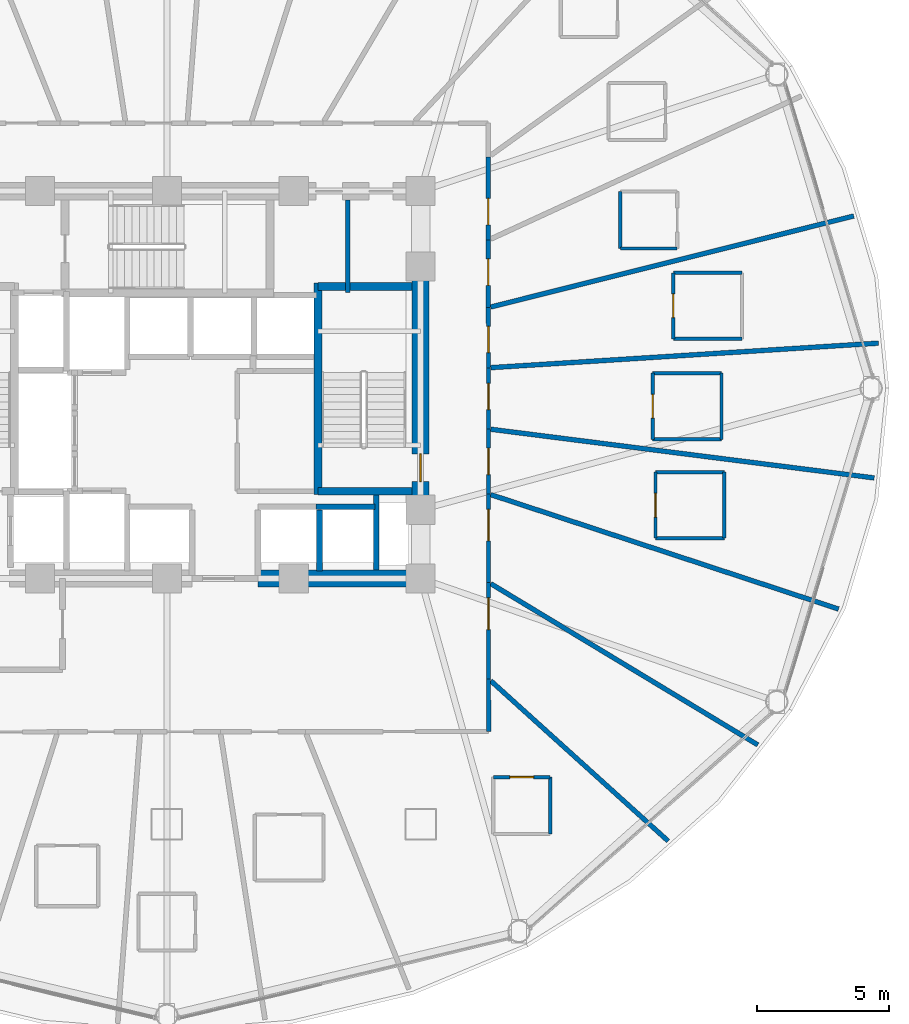
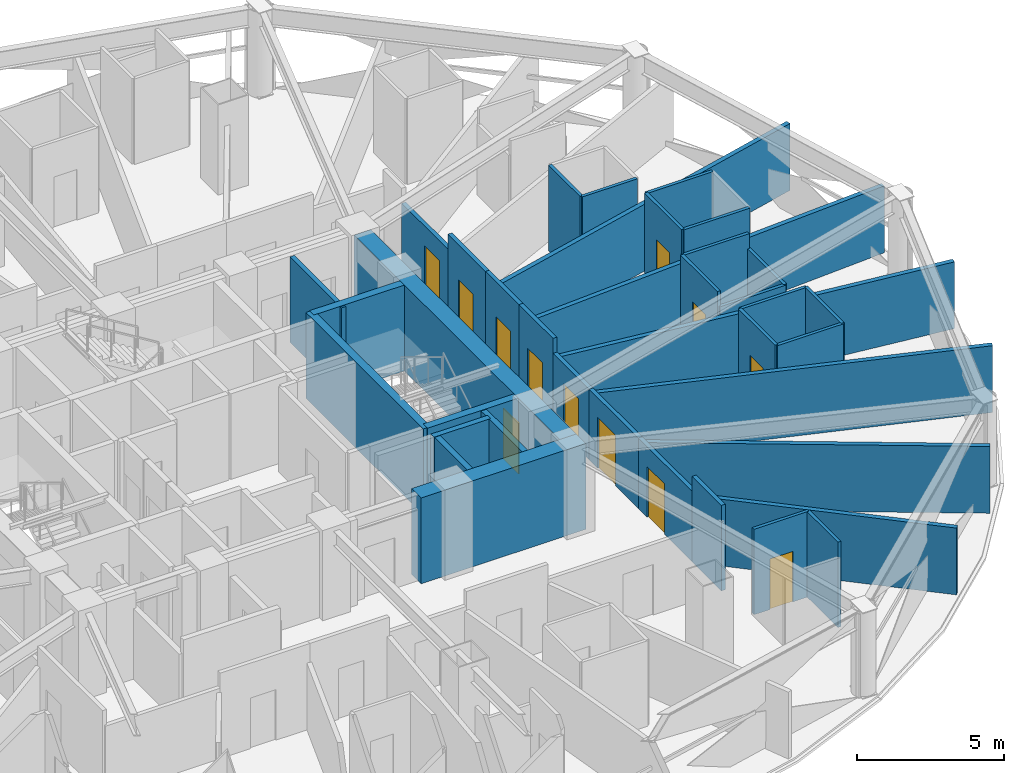
# One storey, part 26 of 32: 38 walls, 12 doors, 12 openings.
"""IFC4 building model written with IfcOpenShell, lengths in metres."""

from ifc_helpers import new_model, si_unit, direction, frame, frame_2d, origin, place, context, subcontext, project, spatial, rectangle, extrude, material, layer, layer_set, type_object, element, fill, save


model = new_model("IFC4")

# Units and contexts
model_context = context("Model", 3, precision=1e-05, world=origin(), true_north=direction((0.0, 1.0)))
body_context = subcontext(model_context, "Body", "Model", "MODEL_VIEW")
ifc_project = project(units=[si_unit("LENGTHUNIT", "METRE"), si_unit("AREAUNIT", "SQUARE_METRE"), si_unit("VOLUMEUNIT", "CUBIC_METRE"), si_unit("PLANEANGLEUNIT", "RADIAN"), si_unit("MASSUNIT", "GRAM", prefix="KILO")], contexts=[model_context])

# Site, building, storey
site_placement = place(None, origin())
site = spatial("IfcSite", under=ifc_project, at=site_placement, CompositionType="ELEMENT")
building_placement = place(site_placement, origin())
building = spatial("IfcBuilding", under=site, at=building_placement, Name="Vantalir Tower", CompositionType="ELEMENT")
storey_placement = place(building_placement, frame((0.0, 0.0, 45.75)))
storey = spatial("IfcBuildingStorey", under=building, at=storey_placement, Name="L10", CompositionType="ELEMENT", Elevation=45.75)

# Walls
ifc_material_1 = material(Name="Moisture-resistant en-suite partition", Category="gypsum")
ifc_layer_1 = layer(ifc_material_1, 0.125)
ifc_layer_set_1 = layer_set([ifc_layer_1], Name="Moisture-resistant en-suite partition")
wall_type_1 = type_object("IfcWallType", Name="WL-BATH-125", PredefinedType="PARTITIONING", material=ifc_layer_set_1)
for number, where, z_axis, x_axis, name in (
    (1, (50.656005859375, 26.863037109375, 0.0), (0.0, 0.0, 1.0), (1.0, 0.0, 0.0), "L10 En-suite 01 South Wall"),
    (2, (50.656005859375, 29.363037109375, 0.0), (0.0, 0.0, 1.0), (1.0, 0.0, 0.0), "L10 En-suite 01 North Wall"),
):
    element("IfcWall", number, at=place(storey_placement, frame(where, z_axis=z_axis, x_axis=x_axis)), inside=storey, type_object=wall_type_1, Name=name, PredefinedType="PARTITIONING", context=body_context, shape_type="SweptSolid", body=[
        extrude(rectangle(XDim=2.60009765625, YDim=0.125, at=frame_2d((1.300048828125, 0.0))), origin(), (0.0, 0.0, 1.0), 3.550048828125),
    ])

# Wall, opening, door
wall_1_placement = place(storey_placement, frame((50.656005859375, 26.863037109375, 0.0), z_axis=(0.0, 0.0, 1.0), x_axis=(0.0, 1.0, 0.0)))
wall_1 = element("IfcWall", 3, at=wall_1_placement, inside=storey, type_object=wall_type_1, Name="L10 En-suite 01 West Wall", PredefinedType="PARTITIONING", context=body_context, shape_type="SweptSolid", body=[
    extrude(rectangle(XDim=2.5, YDim=0.125, at=frame_2d((1.25, 0.0))), origin(), (0.0, 0.0, 1.0), 3.550048828125),
])
opening_1_placement = place(wall_1_placement, frame((0.800048828125, 0.0, 0.0)))
opening_1 = element("IfcOpeningElement", 4, at=opening_1_placement, cuts=wall_1, Name="Opening D-WC", PredefinedType="OPENING", context=body_context, shape_type="SweptSolid", body=[
    extrude(rectangle(XDim=0.89990234375, YDim=2.10009765625, at=frame_2d((0.449951171875, 1.050048828125))), frame((0.0, 0.072509765625, 0.0), z_axis=(0.0, -1.0, 0.0), x_axis=(1.0, 0.0, 0.0)), (0.0, 0.0, 1.0), 0.14501953125),
])
ifc_material_2 = material(Name="Moisture-resistant hardwood door", Category="wood")
door_type_1 = type_object("IfcDoorType", Name="DR-ENSUITE-900", OperationType="NOTDEFINED", PredefinedType="DOOR", material=ifc_material_2)
door_1_placement = place(opening_1_placement, frame((0.89990234375, 0.0, 0.0), z_axis=(0.0, 0.0, 1.0), x_axis=(-1.0, 0.0, 0.0)))
door_1 = element("IfcDoor", 5, at=door_1_placement, inside=storey, type_object=door_type_1, Name="L10 En-suite 01 Door", OperationType="SINGLE_SWING_RIGHT", OverallHeight=2.10009765625, OverallWidth=0.89990234375, PredefinedType="DOOR", context=body_context, shape_type="SweptSolid", body=[
    extrude(rectangle(XDim=0.89990234375, YDim=2.10009765625, at=frame_2d((0.449951171875, 1.050048828125))), frame((0.0, 0.02490234375, 0.0), z_axis=(0.0, -1.0, 0.0), x_axis=(1.0, 0.0, 0.0)), (0.0, 0.0, 1.0), 0.050048828125),
])
fill(opening_1, door_1)

# Walls
wall_2_placement = place(storey_placement, frame((48.655029296875, 30.283935546875, 0.0), z_axis=(0.0, 0.0, 1.0), x_axis=(1.0, 0.0, 0.0)))
element("IfcWall", 6, at=wall_2_placement, inside=storey, type_object=wall_type_1, Name="L10 En-suite 02 South Wall", PredefinedType="PARTITIONING", context=body_context, shape_type="SweptSolid", body=[
    extrude(rectangle(XDim=2.14990234375, YDim=0.125, at=frame_2d((1.074951171875, 0.0))), origin(), (0.0, 0.0, 1.0), 3.550048828125),
])
wall_3_placement = place(storey_placement, frame((48.655029296875, 30.283935546875, 0.0), z_axis=(0.0, 0.0, 1.0), x_axis=(0.0, 1.0, 0.0)))
element("IfcWall", 7, at=wall_3_placement, inside=storey, type_object=wall_type_1, Name="L10 En-suite 02 West Wall", PredefinedType="PARTITIONING", context=body_context, shape_type="SweptSolid", body=[
    extrude(rectangle(XDim=2.150146484375, YDim=0.125, at=frame_2d((1.0751953125, 0.0))), origin(), (0.0, 0.0, 1.0), 3.550048828125),
])

# Wall, opening, door
wall_4_placement = place(storey_placement, frame((43.846923828125, 10.285888671875, 0.0), z_axis=(0.0, 0.0, 1.0), x_axis=(1.0, 0.0, 0.0)))
wall_4 = element("IfcWall", 8, at=wall_4_placement, inside=storey, type_object=wall_type_1, Name="L10 En-suite 24 North Wall", PredefinedType="PARTITIONING", context=body_context, shape_type="SweptSolid", body=[
    extrude(rectangle(XDim=2.150146484375, YDim=0.125, at=frame_2d((1.0751953125, 0.0))), origin(), (0.0, 0.0, 1.0), 3.550048828125),
])
opening_2_placement = place(wall_4_placement, frame((0.625, 0.0, 0.0)))
opening_2 = element("IfcOpeningElement", 9, at=opening_2_placement, cuts=wall_4, Name="Opening D-WC", PredefinedType="OPENING", context=body_context, shape_type="SweptSolid", body=[
    extrude(rectangle(XDim=0.89990234375, YDim=2.10009765625, at=frame_2d((0.449951171875, 1.050048828125))), frame((0.0, 0.072509765625, 0.0), z_axis=(0.0, -1.0, 0.0), x_axis=(1.0, 0.0, 0.0)), (0.0, 0.0, 1.0), 0.14501953125),
])
door_2_placement = place(opening_2_placement, frame((0.89990234375, 0.0, 0.0), z_axis=(0.0, 0.0, 1.0), x_axis=(-1.0, 0.0, 0.0)))
door_2 = element("IfcDoor", 10, at=door_2_placement, inside=storey, type_object=door_type_1, Name="L10 En-suite 24 Door", OperationType="SINGLE_SWING_LEFT", OverallHeight=2.10009765625, OverallWidth=0.89990234375, PredefinedType="DOOR", context=body_context, shape_type="SweptSolid", body=[
    extrude(rectangle(XDim=0.89990234375, YDim=2.10009765625, at=frame_2d((0.449951171875, 1.050048828125))), frame((0.0, 0.02490234375, 0.0), z_axis=(0.0, -1.0, 0.0), x_axis=(1.0, 0.0, 0.0)), (0.0, 0.0, 1.0), 0.050048828125),
])
fill(opening_2, door_2)

# Walls
wall_5_placement = place(storey_placement, frame((45.9970703125, 8.135986328125, 0.0), z_axis=(0.0, 0.0, 1.0), x_axis=(0.0, 1.0, 0.0)))
element("IfcWall", 11, at=wall_5_placement, inside=storey, type_object=wall_type_1, Name="L10 En-suite 24 East Wall", PredefinedType="PARTITIONING", context=body_context, shape_type="SweptSolid", body=[
    extrude(rectangle(XDim=2.14990234375, YDim=0.125, at=frame_2d((1.074951171875, 0.0))), origin(), (0.0, 0.0, 1.0), 3.550048828125),
])
for number, where, z_axis, x_axis, name in (
    (12, (49.985107421875, 19.322998046875, 0.0), (0.0, 0.0, 1.0), (1.0, 0.0, 0.0), "L10 En-suite 27 South Wall"),
    (13, (49.985107421875, 21.822998046875, 0.0), (0.0, 0.0, 1.0), (1.0, 0.0, 0.0), "L10 En-suite 27 North Wall"),
):
    element("IfcWall", number, at=place(storey_placement, frame(where, z_axis=z_axis, x_axis=x_axis)), inside=storey, type_object=wall_type_1, Name=name, PredefinedType="PARTITIONING", context=body_context, shape_type="SweptSolid", body=[
        extrude(rectangle(XDim=2.599853515625, YDim=0.125, at=frame_2d((1.2998046875, 0.0))), origin(), (0.0, 0.0, 1.0), 3.550048828125),
    ])

# Wall, opening, door
wall_6_placement = place(storey_placement, frame((49.985107421875, 19.322998046875, 0.0), z_axis=(0.0, 0.0, 1.0), x_axis=(0.0, 1.0, 0.0)))
wall_6 = element("IfcWall", 14, at=wall_6_placement, inside=storey, type_object=wall_type_1, Name="L10 En-suite 27 West Wall", PredefinedType="PARTITIONING", context=body_context, shape_type="SweptSolid", body=[
    extrude(rectangle(XDim=2.5, YDim=0.125, at=frame_2d((1.25, 0.0))), origin(), (0.0, 0.0, 1.0), 3.550048828125),
])
opening_3_placement = place(wall_6_placement, frame((0.800048828125, 0.0, 0.0)))
opening_3 = element("IfcOpeningElement", 15, at=opening_3_placement, cuts=wall_6, Name="Opening D-WC", PredefinedType="OPENING", context=body_context, shape_type="SweptSolid", body=[
    extrude(rectangle(XDim=0.89990234375, YDim=2.10009765625, at=frame_2d((0.449951171875, 1.050048828125))), frame((0.0, 0.072509765625, 0.0), z_axis=(0.0, -1.0, 0.0), x_axis=(1.0, 0.0, 0.0)), (0.0, 0.0, 1.0), 0.14501953125),
])
door_3_placement = place(opening_3_placement, frame((0.89990234375, 0.0, 0.0), z_axis=(0.0, 0.0, 1.0), x_axis=(-1.0, 0.0, 0.0)))
door_3 = element("IfcDoor", 16, at=door_3_placement, inside=storey, type_object=door_type_1, Name="L10 En-suite 27 Door", OperationType="SINGLE_SWING_RIGHT", OverallHeight=2.10009765625, OverallWidth=0.89990234375, PredefinedType="DOOR", context=body_context, shape_type="SweptSolid", body=[
    extrude(rectangle(XDim=0.89990234375, YDim=2.10009765625, at=frame_2d((0.449951171875, 1.050048828125))), frame((0.0, 0.02490234375, 0.0), z_axis=(0.0, -1.0, 0.0), x_axis=(1.0, 0.0, 0.0)), (0.0, 0.0, 1.0), 0.050048828125),
])
fill(opening_3, door_3)

# Walls
wall_7_placement = place(storey_placement, frame((52.5849609375, 19.322998046875, 0.0), z_axis=(0.0, 0.0, 1.0), x_axis=(0.0, 1.0, 0.0)))
element("IfcWall", 17, at=wall_7_placement, inside=storey, type_object=wall_type_1, Name="L10 En-suite 27 East Wall", PredefinedType="PARTITIONING", context=body_context, shape_type="SweptSolid", body=[
    extrude(rectangle(XDim=2.5, YDim=0.125, at=frame_2d((1.25, 0.0))), origin(), (0.0, 0.0, 1.0), 3.550048828125),
])
wall_8_placement = place(storey_placement, frame((49.8779296875, 23.06298828125, 0.0), z_axis=(0.0, 0.0, 1.0), x_axis=(1.0, 0.0, 0.0)))
element("IfcWall", 18, at=wall_8_placement, inside=storey, type_object=wall_type_1, Name="L10 En-suite 28 South Wall", PredefinedType="PARTITIONING", context=body_context, shape_type="SweptSolid", body=[
    extrude(rectangle(XDim=2.60009765625, YDim=0.125, at=frame_2d((1.300048828125, 0.0))), origin(), (0.0, 0.0, 1.0), 2.927978515625),
])
wall_9_placement = place(storey_placement, frame((49.8779296875, 25.56298828125, 0.0), z_axis=(0.0, 0.0, 1.0), x_axis=(1.0, 0.0, 0.0)))
element("IfcWall", 19, at=wall_9_placement, inside=storey, type_object=wall_type_1, Name="L10 En-suite 28 North Wall", PredefinedType="PARTITIONING", context=body_context, shape_type="SweptSolid", body=[
    extrude(rectangle(XDim=2.60009765625, YDim=0.125, at=frame_2d((1.300048828125, 0.0))), origin(), (0.0, 0.0, 1.0), 3.550048828125),
])

# Wall, opening, door
wall_10_placement = place(storey_placement, frame((49.8779296875, 23.06298828125, 0.0), z_axis=(0.0, 0.0, 1.0), x_axis=(0.0, 1.0, 0.0)))
wall_10 = element("IfcWall", 20, at=wall_10_placement, inside=storey, type_object=wall_type_1, Name="L10 En-suite 28 West Wall", PredefinedType="PARTITIONING", context=body_context, shape_type="SweptSolid", body=[
    extrude(rectangle(XDim=2.5, YDim=0.125, at=frame_2d((1.25, 0.0))), origin(), (0.0, 0.0, 1.0), 3.550048828125),
])
opening_4_placement = place(wall_10_placement, frame((0.800048828125, 0.0, 0.0)))
opening_4 = element("IfcOpeningElement", 21, at=opening_4_placement, cuts=wall_10, Name="Opening D-WC", PredefinedType="OPENING", context=body_context, shape_type="SweptSolid", body=[
    extrude(rectangle(XDim=0.89990234375, YDim=2.10009765625, at=frame_2d((0.449951171875, 1.050048828125))), frame((0.0, 0.072509765625, 0.0), z_axis=(0.0, -1.0, 0.0), x_axis=(1.0, 0.0, 0.0)), (0.0, 0.0, 1.0), 0.14501953125),
])
door_4_placement = place(opening_4_placement, frame((0.89990234375, 0.0, 0.0), z_axis=(0.0, 0.0, 1.0), x_axis=(-1.0, 0.0, 0.0)))
door_4 = element("IfcDoor", 22, at=door_4_placement, inside=storey, type_object=door_type_1, Name="L10 En-suite 28 Door", OperationType="SINGLE_SWING_LEFT", OverallHeight=2.10009765625, OverallWidth=0.89990234375, PredefinedType="DOOR", context=body_context, shape_type="SweptSolid", body=[
    extrude(rectangle(XDim=0.89990234375, YDim=2.10009765625, at=frame_2d((0.449951171875, 1.050048828125))), frame((0.0, 0.02490234375, 0.0), z_axis=(0.0, -1.0, 0.0), x_axis=(1.0, 0.0, 0.0)), (0.0, 0.0, 1.0), 0.050048828125),
])
fill(opening_4, door_4)

# Walls
wall_11_placement = place(storey_placement, frame((52.47802734375, 23.06298828125, 0.0), z_axis=(0.0, 0.0, 1.0), x_axis=(0.0, 1.0, 0.0)))
element("IfcWall", 23, at=wall_11_placement, inside=storey, type_object=wall_type_1, Name="L10 En-suite 28 East Wall", PredefinedType="PARTITIONING", context=body_context, shape_type="SweptSolid", body=[
    extrude(rectangle(XDim=2.5, YDim=0.125, at=frame_2d((1.25, 0.0))), origin(), (0.0, 0.0, 1.0), 2.927978515625),
])
ifc_material_3 = material(Name="Concrete C60/75", Category="concrete")
ifc_layer_2 = layer(ifc_material_3, 0.64990234375)
ifc_layer_set_2 = layer_set([ifc_layer_2], Name="Concrete C60/75")
wall_type_2 = type_object("IfcWallType", Name="WL-CORE-650", PredefinedType="SHEAR", material=ifc_layer_set_2)
wall_12_placement = place(storey_placement, frame((34.949951171875, 17.800048828125, 0.0), z_axis=(0.0, 0.0, 1.0), x_axis=(1.0, 0.0, 0.0)))
element("IfcWall", 24, at=wall_12_placement, inside=storey, type_object=wall_type_2, Name="L10 Core Shear Wall South-East", PredefinedType="SHEAR", context=body_context, shape_type="SweptSolid", body=[
    extrude(rectangle(XDim=6.47509765625, YDim=0.64990234375, at=frame_2d((3.237548828125, 0.0))), origin(), (0.0, 0.0, 1.0), 3.570068359375),
])

# Wall, opening, door
wall_13_placement = place(storey_placement, frame((41.10009765625, 18.125, 0.0), z_axis=(0.0, 0.0, 1.0), x_axis=(0.0, 1.0, 0.0)))
wall_13 = element("IfcWall", 25, at=wall_13_placement, inside=storey, type_object=wall_type_2, Name="L10 Core Shear Wall East", PredefinedType="SHEAR", context=body_context, shape_type="SweptSolid", body=[
    extrude(rectangle(XDim=14.0, YDim=0.64990234375, at=frame_2d((7.0, 0.0))), origin(), (0.0, 0.0, 1.0), 3.570068359375),
])
opening_5_placement = place(wall_13_placement, frame((3.3349609375, 0.0, 0.0)))
opening_5 = element("IfcOpeningElement", 26, at=opening_5_placement, cuts=wall_13, Name="Opening D-ST", PredefinedType="OPENING", context=body_context, shape_type="SweptSolid", body=[
    extrude(rectangle(XDim=1.050048828125, YDim=2.10009765625, at=frame_2d((0.52490234375, 1.050048828125))), frame((0.0, 0.3349609375, 0.0), z_axis=(0.0, -1.0, 0.0), x_axis=(1.0, 0.0, 0.0)), (0.0, 0.0, 1.0), 0.669921875),
])
ifc_material_4 = material(Name="Fire-rated steel door leaf", Category="steel")
door_type_2 = type_object("IfcDoorType", Name="DR-FIRE-STAIR-1050", OperationType="NOTDEFINED", PredefinedType="DOOR", material=ifc_material_4)
door_5_placement = place(opening_5_placement, origin())
door_5 = element("IfcDoor", 27, at=door_5_placement, inside=storey, type_object=door_type_2, Name="L10 Exit Stair ST2 Fire Door", OperationType="SINGLE_SWING_LEFT", OverallHeight=2.10009765625, OverallWidth=1.050048828125, PredefinedType="DOOR", context=body_context, shape_type="SweptSolid", body=[
    extrude(rectangle(XDim=1.050048828125, YDim=2.10009765625, at=frame_2d((0.52490234375, 1.050048828125))), frame((0.0, 0.02490234375, 0.0), z_axis=(0.0, -1.0, 0.0), x_axis=(1.0, 0.0, 0.0)), (0.0, 0.0, 1.0), 0.050048828125),
])
fill(opening_5, door_5)

ifc_material_5 = material(Name="Fire-rated hotel corridor acoustic partition", Category="gypsum")
ifc_layer_3 = layer(ifc_material_5, 0.159912109375)
ifc_layer_set_3 = layer_set([ifc_layer_3], Name="Fire-rated hotel corridor acoustic partition")
wall_type_3 = type_object("IfcWallType", Name="WL-CORR-160", PredefinedType="PARTITIONING", material=ifc_layer_set_3)
wall_14_placement = place(storey_placement, frame((43.656982421875, 33.737060546875, 0.0), z_axis=(0.0, 0.0, 1.0), x_axis=(0.000933270709, -0.999999564503, 0.0)))
wall_14 = element("IfcWall", 28, at=wall_14_placement, inside=storey, type_object=wall_type_3, Name="L10 Corridor Partition 16", PredefinedType="PARTITIONING", context=body_context, shape_type="SweptSolid", body=[
    extrude(rectangle(XDim=3.13916015625, YDim=0.159912109375, at=frame_2d((1.569580078125, 0.0))), origin(), (0.0, 0.0, 1.0), 2.927978515625),
])
opening_6_placement = place(wall_14_placement, frame((1.55908203125, 0.0, 0.0)))
opening_6 = element("IfcOpeningElement", 29, at=opening_6_placement, cuts=wall_14, Name="Opening D-GUEST", PredefinedType="OPENING", context=body_context, shape_type="SweptSolid", body=[
    extrude(rectangle(XDim=1.0, YDim=2.10009765625, at=frame_2d((0.5, 1.050048828125))), frame((0.0, 0.08984375, 0.0), z_axis=(0.0, -1.0, 0.0), x_axis=(1.0, 0.0, 0.0)), (0.0, 0.0, 1.0), 0.179931640625),
])
ifc_material_6 = material(Name="Solid-core teak veneer acoustic fire door", Category="wood")
door_type_3 = type_object("IfcDoorType", Name="DR-GUEST-ENTRY-1000", OperationType="NOTDEFINED", PredefinedType="DOOR", material=ifc_material_6)
door_6_placement = place(opening_6_placement, origin())
door_6 = element("IfcDoor", 30, at=door_6_placement, inside=storey, type_object=door_type_3, Name="L10 Deluxe King Hotel Room 03 Door", OperationType="SINGLE_SWING_RIGHT", OverallHeight=2.10009765625, OverallWidth=1.0, PredefinedType="DOOR", context=body_context, shape_type="SweptSolid", body=[
    extrude(rectangle(XDim=1.0, YDim=2.10009765625, at=frame_2d((0.5, 1.050048828125))), frame((0.0, 0.02490234375, 0.0), z_axis=(0.0, -1.0, 0.0), x_axis=(1.0, 0.0, 0.0)), (0.0, 0.0, 1.0), 0.050048828125),
])
fill(opening_6, door_6)

wall_15_placement = place(storey_placement, frame((43.659912109375, 30.597900390625, 0.0), z_axis=(0.0, 0.0, 1.0), x_axis=(0.000382848364, -0.999999926714, 0.0)))
wall_15 = element("IfcWall", 31, at=wall_15_placement, inside=storey, type_object=wall_type_3, Name="L10 Corridor Partition 17", PredefinedType="PARTITIONING", context=body_context, shape_type="SweptSolid", body=[
    extrude(rectangle(XDim=2.55078125, YDim=0.159912109375, at=frame_2d((1.275390625, 0.0))), origin(), (0.0, 0.0, 1.0), 3.550048828125),
])
opening_7_placement = place(wall_15_placement, frame((0.70703125, 0.0, 0.0)))
opening_7 = element("IfcOpeningElement", 32, at=opening_7_placement, cuts=wall_15, Name="Opening D-GUEST", PredefinedType="OPENING", context=body_context, shape_type="SweptSolid", body=[
    extrude(rectangle(XDim=1.0, YDim=2.10009765625, at=frame_2d((0.5, 1.050048828125))), frame((0.0, 0.08984375, 0.0), z_axis=(0.0, -1.0, 0.0), x_axis=(1.0, 0.0, 0.0)), (0.0, 0.0, 1.0), 0.179931640625),
])
door_7_placement = place(opening_7_placement, origin())
door_7 = element("IfcDoor", 33, at=door_7_placement, inside=storey, type_object=door_type_3, Name="L10 Deluxe King Hotel Room 02 Door", OperationType="SINGLE_SWING_LEFT", OverallHeight=2.10009765625, OverallWidth=1.0, PredefinedType="DOOR", context=body_context, shape_type="SweptSolid", body=[
    extrude(rectangle(XDim=1.0, YDim=2.10009765625, at=frame_2d((0.5, 1.050048828125))), frame((0.0, 0.02490234375, 0.0), z_axis=(0.0, -1.0, 0.0), x_axis=(1.0, 0.0, 0.0)), (0.0, 0.0, 1.0), 0.050048828125),
])
fill(opening_7, door_7)

wall_16_placement = place(storey_placement, frame((43.660888671875, 28.047119140625, 0.0), z_axis=(0.0, 0.0, 1.0), x_axis=(0.000964526397, -0.999999534844, 0.0)))
wall_16 = element("IfcWall", 34, at=wall_16_placement, inside=storey, type_object=wall_type_3, Name="L10 Corridor Partition 18", PredefinedType="PARTITIONING", context=body_context, shape_type="SweptSolid", body=[
    extrude(rectangle(XDim=2.278076171875, YDim=0.159912109375, at=frame_2d((1.13916015625, 0.0))), origin(), (0.0, 0.0, 1.0), 3.550048828125),
])
opening_8_placement = place(wall_16_placement, frame((0.70703125, 0.0, 0.0)))
opening_8 = element("IfcOpeningElement", 35, at=opening_8_placement, cuts=wall_16, Name="Opening D-GUEST", PredefinedType="OPENING", context=body_context, shape_type="SweptSolid", body=[
    extrude(rectangle(XDim=1.0, YDim=2.10009765625, at=frame_2d((0.5, 1.050048828125))), frame((0.0, 0.08984375, 0.0), z_axis=(0.0, -1.0, 0.0), x_axis=(1.0, 0.0, 0.0)), (0.0, 0.0, 1.0), 0.179931640625),
])
door_8_placement = place(opening_8_placement, origin())
door_8 = element("IfcDoor", 36, at=door_8_placement, inside=storey, type_object=door_type_3, Name="L10 Twin Queen Hotel Room 01 Door", OperationType="SINGLE_SWING_RIGHT", OverallHeight=2.10009765625, OverallWidth=1.0, PredefinedType="DOOR", context=body_context, shape_type="SweptSolid", body=[
    extrude(rectangle(XDim=1.0, YDim=2.10009765625, at=frame_2d((0.5, 1.050048828125))), frame((0.0, 0.02490234375, 0.0), z_axis=(0.0, -1.0, 0.0), x_axis=(1.0, 0.0, 0.0)), (0.0, 0.0, 1.0), 0.050048828125),
])
fill(opening_8, door_8)

wall_17_placement = place(storey_placement, frame((43.6630859375, 25.76904296875, 0.0), z_axis=(0.0, 0.0, 1.0), x_axis=(0.000844059628, -0.999999643782, 0.0)))
wall_17 = element("IfcWall", 37, at=wall_17_placement, inside=storey, type_object=wall_type_3, Name="L10 Corridor Partition 19", PredefinedType="PARTITIONING", context=body_context, shape_type="SweptSolid", body=[
    extrude(rectangle(XDim=2.31396484375, YDim=0.159912109375, at=frame_2d((1.156982421875, 0.0))), origin(), (0.0, 0.0, 1.0), 3.550048828125),
])
opening_9_placement = place(wall_17_placement, frame((0.5859375, 0.0, 0.0)))
opening_9 = element("IfcOpeningElement", 38, at=opening_9_placement, cuts=wall_17, Name="Opening D-GUEST", PredefinedType="OPENING", context=body_context, shape_type="SweptSolid", body=[
    extrude(rectangle(XDim=1.0, YDim=2.10009765625, at=frame_2d((0.5, 1.050048828125))), frame((0.0, 0.08984375, 0.0), z_axis=(0.0, -1.0, 0.0), x_axis=(1.0, 0.0, 0.0)), (0.0, 0.0, 1.0), 0.179931640625),
])
door_9_placement = place(opening_9_placement, origin())
door_9 = element("IfcDoor", 39, at=door_9_placement, inside=storey, type_object=door_type_3, Name="L10 Deluxe King Hotel Room 28 Door", OperationType="SINGLE_SWING_LEFT", OverallHeight=2.10009765625, OverallWidth=1.0, PredefinedType="DOOR", context=body_context, shape_type="SweptSolid", body=[
    extrude(rectangle(XDim=1.0, YDim=2.10009765625, at=frame_2d((0.5, 1.050048828125))), frame((0.0, 0.02490234375, 0.0), z_axis=(0.0, -1.0, 0.0), x_axis=(1.0, 0.0, 0.0)), (0.0, 0.0, 1.0), 0.050048828125),
])
fill(opening_9, door_9)

wall_18_placement = place(storey_placement, frame((43.6650390625, 23.455078125, 0.0), z_axis=(0.0, 0.0, 1.0), x_axis=(0.000397614283, -0.999999920951, 0.0)))
wall_18 = element("IfcWall", 40, at=wall_18_placement, inside=storey, type_object=wall_type_3, Name="L10 Corridor Partition 20", PredefinedType="PARTITIONING", context=body_context, shape_type="SweptSolid", body=[
    extrude(rectangle(XDim=2.4560546875, YDim=0.159912109375, at=frame_2d((1.22802734375, 0.0))), origin(), (0.0, 0.0, 1.0), 2.927978515625),
])
opening_10_placement = place(wall_18_placement, frame((0.72802734375, 0.0, 0.0)))
opening_10 = element("IfcOpeningElement", 41, at=opening_10_placement, cuts=wall_18, Name="Opening D-GUEST", PredefinedType="OPENING", context=body_context, shape_type="SweptSolid", body=[
    extrude(rectangle(XDim=1.0, YDim=2.10009765625, at=frame_2d((0.5, 1.050048828125))), frame((0.0, 0.08984375, 0.0), z_axis=(0.0, -1.0, 0.0), x_axis=(1.0, 0.0, 0.0)), (0.0, 0.0, 1.0), 0.179931640625),
])
door_10_placement = place(opening_10_placement, origin())
door_10 = element("IfcDoor", 42, at=door_10_placement, inside=storey, type_object=door_type_3, Name="L10 Twin Queen Hotel Room 27 Door", OperationType="SINGLE_SWING_RIGHT", OverallHeight=2.10009765625, OverallWidth=1.0, PredefinedType="DOOR", context=body_context, shape_type="SweptSolid", body=[
    extrude(rectangle(XDim=1.0, YDim=2.10009765625, at=frame_2d((0.5, 1.050048828125))), frame((0.0, 0.02490234375, 0.0), z_axis=(0.0, -1.0, 0.0), x_axis=(1.0, 0.0, 0.0)), (0.0, 0.0, 1.0), 0.050048828125),
])
fill(opening_10, door_10)

wall_19_placement = place(storey_placement, frame((43.666015625, 20.9990234375, 0.0), z_axis=(0.0, 0.0, 1.0), x_axis=(0.000875592514, -0.999999616669, 0.0)))
wall_19 = element("IfcWall", 43, at=wall_19_placement, inside=storey, type_object=wall_type_3, Name="L10 Corridor Partition 21", PredefinedType="PARTITIONING", context=body_context, shape_type="SweptSolid", body=[
    extrude(rectangle(XDim=3.345947265625, YDim=0.159912109375, at=frame_2d((1.6728515625, 0.0))), origin(), (0.0, 0.0, 1.0), 2.927978515625),
])
opening_11_placement = place(wall_19_placement, frame((0.5810546875, 0.0, 0.0)))
opening_11 = element("IfcOpeningElement", 44, at=opening_11_placement, cuts=wall_19, Name="Opening D-STE", PredefinedType="OPENING", context=body_context, shape_type="SweptSolid", body=[
    extrude(rectangle(XDim=1.199951171875, YDim=2.10009765625, at=frame_2d((0.60009765625, 1.050048828125))), frame((0.0, 0.08984375, 0.0), z_axis=(0.0, -1.0, 0.0), x_axis=(1.0, 0.0, 0.0)), (0.0, 0.0, 1.0), 0.179931640625),
])
ifc_material_7 = material(Name="Solid-core teak veneer suite entrance door", Category="wood")
door_type_4 = type_object("IfcDoorType", Name="DR-SUITE-ENTRY-1200", OperationType="NOTDEFINED", PredefinedType="DOOR", material=ifc_material_7)
door_11_placement = place(opening_11_placement, origin())
door_11 = element("IfcDoor", 45, at=door_11_placement, inside=storey, type_object=door_type_4, Name="L10 Executive Sky Boardroom 26 Door", OperationType="SINGLE_SWING_LEFT", OverallHeight=2.10009765625, OverallWidth=1.199951171875, PredefinedType="DOOR", context=body_context, shape_type="SweptSolid", body=[
    extrude(rectangle(XDim=1.199951171875, YDim=2.10009765625, at=frame_2d((0.60009765625, 1.050048828125))), frame((0.0, 0.02490234375, 0.0), z_axis=(0.0, -1.0, 0.0), x_axis=(1.0, 0.0, 0.0)), (0.0, 0.0, 1.0), 0.050048828125),
])
fill(opening_11, door_11)

wall_20_placement = place(storey_placement, frame((43.6689453125, 17.653076171875, 0.0), z_axis=(0.0, 0.0, 1.0), x_axis=(0.000535081189, -0.999999856844, 0.0)))
wall_20 = element("IfcWall", 46, at=wall_20_placement, inside=storey, type_object=wall_type_3, Name="L10 Corridor Partition 22", PredefinedType="PARTITIONING", context=body_context, shape_type="SweptSolid", body=[
    extrude(rectangle(XDim=3.650146484375, YDim=0.159912109375, at=frame_2d((1.8251953125, 0.0))), origin(), (0.0, 0.0, 1.0), 2.927978515625),
])
opening_12_placement = place(wall_20_placement, frame((0.5859375, 0.0, 0.0)))
opening_12 = element("IfcOpeningElement", 47, at=opening_12_placement, cuts=wall_20, Name="Opening D-STE", PredefinedType="OPENING", context=body_context, shape_type="SweptSolid", body=[
    extrude(rectangle(XDim=1.199951171875, YDim=2.10009765625, at=frame_2d((0.60009765625, 1.050048828125))), frame((0.0, 0.08984375, 0.0), z_axis=(0.0, -1.0, 0.0), x_axis=(1.0, 0.0, 0.0)), (0.0, 0.0, 1.0), 0.179931640625),
])
door_12_placement = place(opening_12_placement, origin())
door_12 = element("IfcDoor", 48, at=door_12_placement, inside=storey, type_object=door_type_4, Name="L10 Executive Business Study 25 Door", OperationType="SINGLE_SWING_RIGHT", OverallHeight=2.10009765625, OverallWidth=1.199951171875, PredefinedType="DOOR", context=body_context, shape_type="SweptSolid", body=[
    extrude(rectangle(XDim=1.199951171875, YDim=2.10009765625, at=frame_2d((0.60009765625, 1.050048828125))), frame((0.0, 0.02490234375, 0.0), z_axis=(0.0, -1.0, 0.0), x_axis=(1.0, 0.0, 0.0)), (0.0, 0.0, 1.0), 0.050048828125),
])
fill(opening_12, door_12)

# Walls
wall_21_placement = place(storey_placement, frame((43.6708984375, 14.0029296875, 0.0), z_axis=(0.0, 0.0, 1.0), x_axis=(0.001101995168, -0.999999392803, 0.0)))
element("IfcWall", 49, at=wall_21_placement, inside=storey, type_object=wall_type_3, Name="L10 Corridor Partition 23", PredefinedType="PARTITIONING", context=body_context, shape_type="SweptSolid", body=[
    extrude(rectangle(XDim=1.993896484375, YDim=0.159912109375, at=frame_2d((0.9970703125, 0.0))), origin(), (0.0, 0.0, 1.0), 3.550048828125),
])
ifc_material_8 = material(Name="Concrete blockwork with fireboard lining", Category="masonry")
ifc_layer_4 = layer(ifc_material_8, 0.219970703125)
ifc_layer_set_4 = layer_set([ifc_layer_4], Name="Concrete blockwork with fireboard lining")
wall_type_4 = type_object("IfcWallType", Name="WL-FFL-220", PredefinedType="PARTITIONING", material=ifc_layer_set_4)
wall_22_placement = place(storey_placement, frame((37.27490234375, 18.080078125, 0.0), z_axis=(0.0, 0.0, 1.0), x_axis=(0.0, 1.0, 0.0)))
element("IfcWall", 50, at=wall_22_placement, inside=storey, type_object=wall_type_4, Name="L10 Shuttle Lift PL-X2/X3 Shaft Divider", PredefinedType="PARTITIONING", context=body_context, shape_type="SweptSolid", body=[
    extrude(rectangle(XDim=2.309814453125, YDim=0.219970703125, at=frame_2d((1.15478515625, 0.0))), origin(), (0.0, 0.0, 1.0), 3.544921875),
])
wall_23_placement = place(storey_placement, frame((39.419921875, 18.125, 0.0), z_axis=(0.0, 0.0, 1.0), x_axis=(0.0, 1.0, 0.0)))
element("IfcWall", 51, at=wall_23_placement, inside=storey, type_object=wall_type_4, Name="L10 East MEP Riser Wall W", PredefinedType="PARTITIONING", context=body_context, shape_type="SweptSolid", body=[
    extrude(rectangle(XDim=2.824951171875, YDim=0.219970703125, at=frame_2d((1.41259765625, 0.0))), origin(), (0.0, 0.0, 1.0), 3.550048828125),
])
wall_24_placement = place(storey_placement, frame((37.139892578125, 20.510009765625, 0.0), z_axis=(0.0, 0.0, 1.0), x_axis=(1.0, 0.0, 0.0)))
element("IfcWall", 52, at=wall_24_placement, inside=storey, type_object=wall_type_4, Name="L10 Lift PL-X2 Shaft Rear Wall", PredefinedType="PARTITIONING", context=body_context, shape_type="SweptSolid", body=[
    extrude(rectangle(XDim=2.239990234375, YDim=0.219970703125, at=frame_2d((1.1201171875, 0.0))), origin(), (0.0, 0.0, 1.0), 3.550048828125),
])
ifc_material_9 = material(Name="Twin-stud acoustic fire-rated gypsum partition", Category="gypsum")
ifc_layer_5 = layer(ifc_material_9, 0.179931640625)
ifc_layer_set_5 = layer_set([ifc_layer_5], Name="Twin-stud acoustic fire-rated gypsum partition")
wall_type_5 = type_object("IfcWallType", Name="WL-GUEST-180", PredefinedType="PARTITIONING", material=ifc_layer_set_5)
wall_25_placement = place(storey_placement, frame((38.340087890625, 28.6201171875, 0.0), z_axis=(0.0, 0.0, 1.0), x_axis=(0.0, 1.0, 0.0)))
element("IfcWall", 53, at=wall_25_placement, inside=storey, type_object=wall_type_5, Name="L10 High-Rise Lift Lobby East Wall", PredefinedType="PARTITIONING", context=body_context, shape_type="SweptSolid", body=[
    extrude(rectangle(XDim=3.5048828125, YDim=0.179931640625, at=frame_2d((1.75244140625, 0.0))), origin(), (0.0, 0.0, 1.0), 3.550048828125),
])
wall_26_placement = place(storey_placement, frame((43.7529296875, 25.77392578125, 0.0), z_axis=(0.0, 0.0, 1.0), x_axis=(0.998009231822, 0.063068004547, 0.0)))
element("IfcWall", 54, at=wall_26_placement, inside=storey, type_object=wall_type_5, Name="L10 Radial Suite Partition 01", PredefinedType="PARTITIONING", context=body_context, shape_type="SweptSolid", body=[
    extrude(rectangle(XDim=14.698486328125, YDim=0.179931640625, at=frame_2d((7.34912109375, 0.0))), origin(), (0.0, 0.0, 1.0), 2.77490234375),
])
wall_27_placement = place(storey_placement, frame((43.7529296875, 28.070068359375, 0.0), z_axis=(0.0, 0.0, 1.0), x_axis=(0.970018590768, 0.243030725558, 0.0)))
element("IfcWall", 55, at=wall_27_placement, inside=storey, type_object=wall_type_5, Name="L10 Radial Suite Partition 02", PredefinedType="PARTITIONING", context=body_context, shape_type="SweptSolid", body=[
    extrude(rectangle(XDim=14.154296875, YDim=0.179931640625, at=frame_2d((7.0771484375, 0.0))), origin(), (0.0, 0.0, 1.0), 2.77490234375),
])
wall_28_placement = place(storey_placement, frame((43.7529296875, 13.929931640625, 0.0), z_axis=(0.0, 0.0, 1.0), x_axis=(0.741978761497, -0.670423386739, 0.0)))
element("IfcWall", 56, at=wall_28_placement, inside=storey, type_object=wall_type_5, Name="L10 Radial Suite Partition 25", PredefinedType="PARTITIONING", context=body_context, shape_type="SweptSolid", body=[
    extrude(rectangle(XDim=9.044921875, YDim=0.179931640625, at=frame_2d((4.5224609375, 0.0))), origin(), (0.0, 0.0, 1.0), 2.77490234375),
])
wall_29_placement = place(storey_placement, frame((43.7529296875, 17.60302734375, 0.0), z_axis=(0.0, 0.0, 1.0), x_axis=(0.856050971563, -0.516891414212, 0.0)))
element("IfcWall", 57, at=wall_29_placement, inside=storey, type_object=wall_type_5, Name="L10 Radial Suite Partition 26", PredefinedType="PARTITIONING", context=body_context, shape_type="SweptSolid", body=[
    extrude(rectangle(XDim=11.799560546875, YDim=0.179931640625, at=frame_2d((5.89990234375, 0.0))), origin(), (0.0, 0.0, 1.0), 2.77490234375),
])
wall_30_placement = place(storey_placement, frame((43.7529296875, 20.970947265625, 0.0), z_axis=(0.0, 0.0, 1.0), x_axis=(0.949941417746, -0.312428076284, 0.0)))
element("IfcWall", 58, at=wall_30_placement, inside=storey, type_object=wall_type_5, Name="L10 Radial Suite Partition 27", PredefinedType="PARTITIONING", context=body_context, shape_type="SweptSolid", body=[
    extrude(rectangle(XDim=13.849365234375, YDim=0.179931640625, at=frame_2d((6.9248046875, 0.0))), origin(), (0.0, 0.0, 1.0), 2.77490234375),
])
wall_31_placement = place(storey_placement, frame((43.7529296875, 23.444091796875, 0.0), z_axis=(0.0, 0.0, 1.0), x_axis=(0.992038929139, -0.125931580921, 0.0)))
element("IfcWall", 59, at=wall_31_placement, inside=storey, type_object=wall_type_5, Name="L10 Radial Suite Partition 28", PredefinedType="PARTITIONING", context=body_context, shape_type="SweptSolid", body=[
    extrude(rectangle(XDim=14.61962890625, YDim=0.179931640625, at=frame_2d((7.309814453125, 0.0))), origin(), (0.0, 0.0, 1.0), 2.77490234375),
])
ifc_material_10 = material(Name="Concrete C50/60", Category="concrete")
ifc_layer_6 = layer(ifc_material_10, 0.300048828125)
ifc_layer_set_6 = layer_set([ifc_layer_6], Name="Concrete C50/60")
wall_type_6 = type_object("IfcWallType", Name="WL-STAIR-300", PredefinedType="SHEAR", material=ifc_layer_set_6)
for number, where, z_axis, x_axis, name in (
    (60, (37.2099609375, 21.10009765625, 0.0), (0.0, 0.0, 1.0), (1.0, 0.0, 0.0), "L10 Stair ST2 South Wall"),
    (61, (37.2099609375, 28.85009765625, 0.0), (0.0, 0.0, 1.0), (1.0, 0.0, 0.0), "L10 Stair ST2 North Wall"),
):
    element("IfcWall", number, at=place(storey_placement, frame(where, z_axis=z_axis, x_axis=x_axis)), inside=storey, type_object=wall_type_6, Name=name, PredefinedType="SHEAR", context=body_context, shape_type="SweptSolid", body=[
        extrude(rectangle(XDim=3.56494140625, YDim=0.300048828125, at=frame_2d((1.782470703125, 0.0))), origin(), (0.0, 0.0, 1.0), 3.570068359375),
    ])
wall_32_placement = place(storey_placement, frame((37.2099609375, 20.97998046875, 0.0), z_axis=(0.0, 0.0, 1.0), x_axis=(0.0, 1.0, 0.0)))
element("IfcWall", 62, at=wall_32_placement, inside=storey, type_object=wall_type_6, Name="L10 Stair ST2 West Wall", PredefinedType="SHEAR", context=body_context, shape_type="SweptSolid", body=[
    extrude(rectangle(XDim=7.989990234375, YDim=0.300048828125, at=frame_2d((3.9951171875, 0.0))), origin(), (0.0, 0.0, 1.0), 3.570068359375),
])

save(model, "model.ifc")
